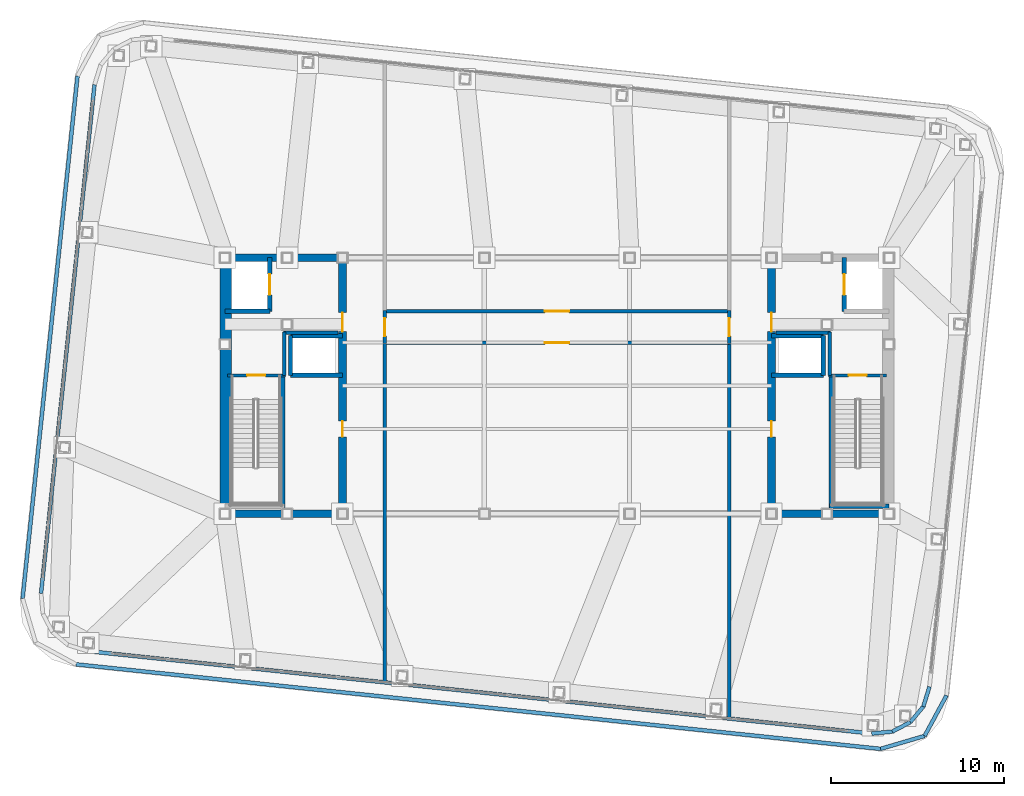
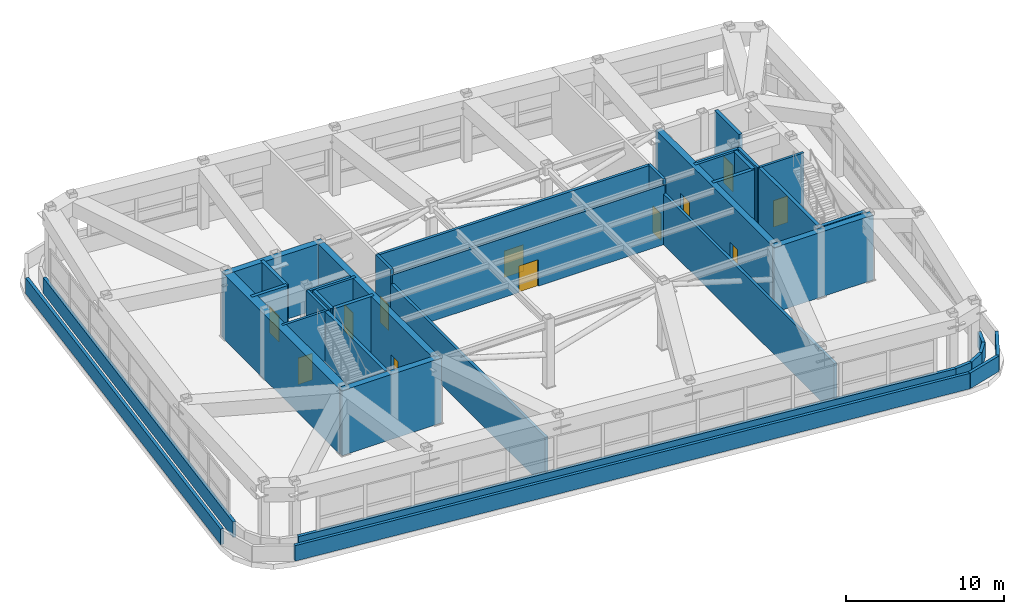
# One storey, part 19 of 22: 40 walls, 12 doors, 12 openings.
"""IFC4 building model written with IfcOpenShell, lengths in metres."""

from ifc_helpers import new_model, si_unit, direction, frame, frame_2d, origin, place, context, subcontext, project, spatial, rectangle, extrude, material, layer, layer_set, type_object, element, fill, save


model = new_model("IFC4")

# Units and contexts
model_context = context("Model", 3, precision=1e-05, world=origin(), true_north=direction((0.0, 1.0)))
body_context = subcontext(model_context, "Body", "Model", "MODEL_VIEW")
ifc_project = project(units=[si_unit("LENGTHUNIT", "METRE"), si_unit("AREAUNIT", "SQUARE_METRE"), si_unit("VOLUMEUNIT", "CUBIC_METRE"), si_unit("PLANEANGLEUNIT", "RADIAN"), si_unit("MASSUNIT", "GRAM", prefix="KILO")], contexts=[model_context])

# Site, building, storey
site_placement = place(None, origin())
site = spatial("IfcSite", under=ifc_project, at=site_placement, CompositionType="ELEMENT")
building_placement = place(site_placement, origin())
building = spatial("IfcBuilding", under=site, at=building_placement, Name="Voryun Gate Residences", CompositionType="ELEMENT")
storey_placement = place(building_placement, frame((0.0, 0.0, 310.699951171875)))
storey = spatial("IfcBuildingStorey", under=building, at=storey_placement, Name="L77", CompositionType="ELEMENT", Elevation=310.699951171875)

# Walls
ifc_material_1 = material(Name="Concrete C50/60", Category="concrete")
ifc_layer_1 = layer(ifc_material_1, 0.449951171875, Name="CW_CORE_450")
ifc_layer_set_1 = layer_set([ifc_layer_1], Name="Concrete C50/60")
wall_type_1 = type_object("IfcWallType", Name="CW_CORE_450", PredefinedType="SHEAR", material=ifc_layer_set_1)
for number, where, z_axis, x_axis, name in (
    (1, (-19.425048828125, -7.39990234375, 0.0), (0.0, 0.0, 1.0), (1.0, 0.0, 0.0), "L77 Core shear wall CW-L77-WS"),
    (2, (-19.425048828125, 7.39990234375, 0.0), (0.0, 0.0, 1.0), (1.0, 0.0, 0.0), "L77 Core shear wall CW-L77-WN"),
):
    element("IfcWall", number, at=place(storey_placement, frame(where, z_axis=z_axis, x_axis=x_axis)), inside=storey, type_object=wall_type_1, Name=name, PredefinedType="SHEAR", context=body_context, shape_type="SweptSolid", body=[
        extrude(rectangle(XDim=7.25, YDim=0.449951171875, at=frame_2d((3.625, 0.0))), origin(), (0.0, 0.0, 1.0), 5.025146484375),
    ])

# Wall, openings, doors
wall_1_placement = place(storey_placement, frame((-12.39990234375, -7.39990234375, 0.0), z_axis=(0.0, 0.0, 1.0), x_axis=(0.0, 1.0, 0.0)))
wall_1 = element("IfcWall", 3, at=wall_1_placement, inside=storey, type_object=wall_type_1, Name="L77 Core shear wall CW-L77-WE", PredefinedType="SHEAR", context=body_context, shape_type="SweptSolid", body=[
    extrude(rectangle(XDim=14.7998046875, YDim=0.449951171875, at=frame_2d((7.39990234375, 0.0))), origin(), (0.0, 0.0, 1.0), 5.025146484375),
])
opening_1_placement = place(wall_1_placement, frame((10.530029296875, 0.0, 0.0)))
opening_1 = element("IfcOpeningElement", 4, at=opening_1_placement, cuts=wall_1, Name="Opening D-FD60-2", PredefinedType="OPENING", context=body_context, shape_type="SweptSolid", body=[
    extrude(rectangle(XDim=1.10009765625, YDim=2.050048828125, at=frame_2d((0.550048828125, 1.02490234375))), frame((0.0, 0.235107421875, 0.0), z_axis=(0.0, -1.0, 0.0), x_axis=(1.0, 0.0, 0.0)), (0.0, 0.0, 1.0), 0.469970703125),
])
opening_2_placement = place(wall_1_placement, frame((4.449951171875, 0.0, 0.0)))
opening_2 = element("IfcOpeningElement", 5, at=opening_2_placement, cuts=wall_1, Name="Opening D-FD60-4", PredefinedType="OPENING", context=body_context, shape_type="SweptSolid", body=[
    extrude(rectangle(XDim=0.89990234375, YDim=2.050048828125, at=frame_2d((0.449951171875, 1.02490234375))), frame((0.0, 0.235107421875, 0.0), z_axis=(0.0, -1.0, 0.0), x_axis=(1.0, 0.0, 0.0)), (0.0, 0.0, 1.0), 0.469970703125),
])
ifc_material_2 = material(Name="Painted steel fire door", Category="steel")
door_type_1 = type_object("IfcDoorType", Name="DR_FD60_FFLOB_1100", OperationType="NOTDEFINED", PredefinedType="DOOR", material=ifc_material_2)
door_1_placement = place(opening_1_placement, origin())
door_1 = element("IfcDoor", 6, at=door_1_placement, inside=storey, type_object=door_type_1, Name="Door DR-L77-CLOB-W", OperationType="SINGLE_SWING_LEFT", OverallHeight=2.050048828125, OverallWidth=1.10009765625, PredefinedType="DOOR", context=body_context, shape_type="SweptSolid", body=[
    extrude(rectangle(XDim=1.10009765625, YDim=2.050048828125, at=frame_2d((0.550048828125, 1.02490234375))), frame((0.0, 0.02490234375, 0.0), z_axis=(0.0, -1.0, 0.0), x_axis=(1.0, 0.0, 0.0)), (0.0, 0.0, 1.0), 0.050048828125),
])
fill(opening_1, door_1)
ifc_material_3 = material(Name="Painted steel fire door", Category="steel")
door_type_2 = type_object("IfcDoorType", Name="DR_FD60_RISER_900", OperationType="NOTDEFINED", PredefinedType="DOOR", material=ifc_material_3)
door_2_placement = place(opening_2_placement, origin())
door_2 = element("IfcDoor", 7, at=door_2_placement, inside=storey, type_object=door_type_2, Name="Door DR-L77-CRNW", OperationType="SINGLE_SWING_LEFT", OverallHeight=2.050048828125, OverallWidth=0.89990234375, PredefinedType="DOOR", context=body_context, shape_type="SweptSolid", body=[
    extrude(rectangle(XDim=0.89990234375, YDim=2.050048828125, at=frame_2d((0.449951171875, 1.02490234375))), frame((0.0, 0.02490234375, 0.0), z_axis=(0.0, -1.0, 0.0), x_axis=(1.0, 0.0, 0.0)), (0.0, 0.0, 1.0), 0.050048828125),
])
fill(opening_2, door_2)

# Wall
wall_2_placement = place(storey_placement, frame((12.175048828125, -7.39990234375, 0.0), z_axis=(0.0, 0.0, 1.0), x_axis=(1.0, 0.0, 0.0)))
element("IfcWall", 8, at=wall_2_placement, inside=storey, type_object=wall_type_1, Name="L77 Core shear wall CW-L77-ES", PredefinedType="SHEAR", context=body_context, shape_type="SweptSolid", body=[
    extrude(rectangle(XDim=7.25, YDim=0.449951171875, at=frame_2d((3.625, 0.0))), origin(), (0.0, 0.0, 1.0), 5.025146484375),
])

# Wall, openings, doors
wall_3_placement = place(storey_placement, frame((12.39990234375, -7.39990234375, 0.0), z_axis=(0.0, 0.0, 1.0), x_axis=(0.0, 1.0, 0.0)))
wall_3 = element("IfcWall", 9, at=wall_3_placement, inside=storey, type_object=wall_type_1, Name="L77 Core shear wall CW-L77-EW", PredefinedType="SHEAR", context=body_context, shape_type="SweptSolid", body=[
    extrude(rectangle(XDim=14.7998046875, YDim=0.449951171875, at=frame_2d((7.39990234375, 0.0))), origin(), (0.0, 0.0, 1.0), 5.025146484375),
])
opening_3_placement = place(wall_3_placement, frame((10.530029296875, 0.0, 0.0)))
opening_3 = element("IfcOpeningElement", 10, at=opening_3_placement, cuts=wall_3, Name="Opening D-FD60-2", PredefinedType="OPENING", context=body_context, shape_type="SweptSolid", body=[
    extrude(rectangle(XDim=1.10009765625, YDim=2.050048828125, at=frame_2d((0.550048828125, 1.02490234375))), frame((0.0, 0.235107421875, 0.0), z_axis=(0.0, -1.0, 0.0), x_axis=(1.0, 0.0, 0.0)), (0.0, 0.0, 1.0), 0.469970703125),
])
opening_4_placement = place(wall_3_placement, frame((4.449951171875, 0.0, 0.0)))
opening_4 = element("IfcOpeningElement", 11, at=opening_4_placement, cuts=wall_3, Name="Opening D-FD60-4", PredefinedType="OPENING", context=body_context, shape_type="SweptSolid", body=[
    extrude(rectangle(XDim=0.89990234375, YDim=2.050048828125, at=frame_2d((0.449951171875, 1.02490234375))), frame((0.0, 0.235107421875, 0.0), z_axis=(0.0, -1.0, 0.0), x_axis=(1.0, 0.0, 0.0)), (0.0, 0.0, 1.0), 0.469970703125),
])
door_3_placement = place(opening_3_placement, origin())
door_3 = element("IfcDoor", 12, at=door_3_placement, inside=storey, type_object=door_type_1, Name="Door DR-L77-CLOB-E", OperationType="SINGLE_SWING_RIGHT", OverallHeight=2.050048828125, OverallWidth=1.10009765625, PredefinedType="DOOR", context=body_context, shape_type="SweptSolid", body=[
    extrude(rectangle(XDim=1.10009765625, YDim=2.050048828125, at=frame_2d((0.550048828125, 1.02490234375))), frame((0.0, 0.02490234375, 0.0), z_axis=(0.0, -1.0, 0.0), x_axis=(1.0, 0.0, 0.0)), (0.0, 0.0, 1.0), 0.050048828125),
])
fill(opening_3, door_3)
door_4_placement = place(opening_4_placement, origin())
door_4 = element("IfcDoor", 13, at=door_4_placement, inside=storey, type_object=door_type_2, Name="Door DR-L77-CRNE", OperationType="SINGLE_SWING_RIGHT", OverallHeight=2.050048828125, OverallWidth=0.89990234375, PredefinedType="DOOR", context=body_context, shape_type="SweptSolid", body=[
    extrude(rectangle(XDim=0.89990234375, YDim=2.050048828125, at=frame_2d((0.449951171875, 1.02490234375))), frame((0.0, 0.02490234375, 0.0), z_axis=(0.0, -1.0, 0.0), x_axis=(1.0, 0.0, 0.0)), (0.0, 0.0, 1.0), 0.050048828125),
])
fill(opening_4, door_4)

# Wall
ifc_material_4 = material(Name="Concrete C60/75", Category="concrete")
ifc_layer_2 = layer(ifc_material_4, 0.64990234375, Name="CW_CORE_650")
ifc_layer_set_2 = layer_set([ifc_layer_2], Name="Concrete C60/75")
wall_type_2 = type_object("IfcWallType", Name="CW_CORE_650", PredefinedType="SHEAR", material=ifc_layer_set_2)
wall_4_placement = place(storey_placement, frame((-19.14501953125, -7.39990234375, 0.0), z_axis=(0.0, 0.0, 1.0), x_axis=(0.0, 1.0, 0.0)))
element("IfcWall", 14, at=wall_4_placement, inside=storey, type_object=wall_type_2, Name="L77 Core shear wall CW-L77-WW", PredefinedType="SHEAR", context=body_context, shape_type="SweptSolid", body=[
    extrude(rectangle(XDim=14.7998046875, YDim=0.64990234375, at=frame_2d((7.39990234375, 0.0))), origin(), (0.0, 0.0, 1.0), 5.025146484375),
])

# Wall, opening, door
ifc_material_5 = material(Name="Gypsum acoustic fireboard")
ifc_layer_3 = layer(ifc_material_5, 0.179931640625, Name="W_CORR_RATED_180")
ifc_layer_set_3 = layer_set([ifc_layer_3], Name="Gypsum acoustic fireboard")
wall_type_3 = type_object("IfcWallType", Name="W_CORR_RATED_180", PredefinedType="PARTITIONING", material=ifc_layer_set_3)
wall_5_placement = place(storey_placement, frame((-19.06005859375, 0.60009765625, 0.0), z_axis=(0.0, 0.0, 1.0), x_axis=(1.0, 0.0, 0.0)))
wall_5 = element("IfcWall", 15, at=wall_5_placement, inside=storey, type_object=wall_type_3, Name="Partition wall WP-L77-STV-W", PredefinedType="PARTITIONING", context=body_context, shape_type="SweptSolid", body=[
    extrude(rectangle(XDim=3.360107421875, YDim=0.179931640625, at=frame_2d((1.68017578125, 0.0))), origin(), (0.0, 0.0, 1.0), 5.025146484375),
])
opening_5_placement = place(wall_5_placement, frame((1.155029296875, 0.0, 0.0)))
opening_5 = element("IfcOpeningElement", 16, at=opening_5_placement, cuts=wall_5, Name="Opening D-FD60-1", PredefinedType="OPENING", context=body_context, shape_type="SweptSolid", body=[
    extrude(rectangle(XDim=1.050048828125, YDim=2.050048828125, at=frame_2d((0.52490234375, 1.02490234375))), frame((0.0, 0.099853515625, 0.0), z_axis=(0.0, -1.0, 0.0), x_axis=(1.0, 0.0, 0.0)), (0.0, 0.0, 1.0), 0.199951171875),
])
ifc_material_6 = material(Name="Painted steel fire door", Category="steel")
door_type_3 = type_object("IfcDoorType", Name="DR_FD60_STAIR_1050", OperationType="NOTDEFINED", PredefinedType="DOOR", material=ifc_material_6)
door_5_placement = place(opening_5_placement, origin())
door_5 = element("IfcDoor", 17, at=door_5_placement, inside=storey, type_object=door_type_3, Name="Door DR-L77-ST-W", OperationType="SINGLE_SWING_LEFT", OverallHeight=2.050048828125, OverallWidth=1.050048828125, PredefinedType="DOOR", context=body_context, shape_type="SweptSolid", body=[
    extrude(rectangle(XDim=1.050048828125, YDim=2.050048828125, at=frame_2d((0.52490234375, 1.02490234375))), frame((0.0, 0.02490234375, 0.0), z_axis=(0.0, -1.0, 0.0), x_axis=(1.0, 0.0, 0.0)), (0.0, 0.0, 1.0), 0.050048828125),
])
fill(opening_5, door_5)

wall_6_placement = place(storey_placement, frame((15.699951171875, 0.60009765625, 0.0), z_axis=(0.0, 0.0, 1.0), x_axis=(1.0, 0.0, 0.0)))
wall_6 = element("IfcWall", 18, at=wall_6_placement, inside=storey, type_object=wall_type_3, Name="Partition wall WP-L77-STV-E", PredefinedType="PARTITIONING", context=body_context, shape_type="SweptSolid", body=[
    extrude(rectangle(XDim=3.360107421875, YDim=0.179931640625, at=frame_2d((1.68017578125, 0.0))), origin(), (0.0, 0.0, 1.0), 5.025146484375),
])
opening_6_placement = place(wall_6_placement, frame((1.155029296875, 0.0, 0.0)))
opening_6 = element("IfcOpeningElement", 19, at=opening_6_placement, cuts=wall_6, Name="Opening D-FD60-1", PredefinedType="OPENING", context=body_context, shape_type="SweptSolid", body=[
    extrude(rectangle(XDim=1.050048828125, YDim=2.050048828125, at=frame_2d((0.52490234375, 1.02490234375))), frame((0.0, 0.099853515625, 0.0), z_axis=(0.0, -1.0, 0.0), x_axis=(1.0, 0.0, 0.0)), (0.0, 0.0, 1.0), 0.199951171875),
])
door_6_placement = place(opening_6_placement, origin())
door_6 = element("IfcDoor", 20, at=door_6_placement, inside=storey, type_object=door_type_3, Name="Door DR-L77-ST-E", OperationType="SINGLE_SWING_RIGHT", OverallHeight=2.050048828125, OverallWidth=1.050048828125, PredefinedType="DOOR", context=body_context, shape_type="SweptSolid", body=[
    extrude(rectangle(XDim=1.050048828125, YDim=2.050048828125, at=frame_2d((0.52490234375, 1.02490234375))), frame((0.0, 0.02490234375, 0.0), z_axis=(0.0, -1.0, 0.0), x_axis=(1.0, 0.0, 0.0)), (0.0, 0.0, 1.0), 0.050048828125),
])
fill(opening_6, door_6)

# Walls
ifc_material_7 = material(Name="Concrete C40/50", Category="concrete")
ifc_layer_4 = layer(ifc_material_7, 0.199951171875, Name="W_FF_LOBBY_200")
ifc_layer_set_4 = layer_set([ifc_layer_4], Name="Concrete C40/50")
wall_type_4 = type_object("IfcWallType", Name="W_FF_LOBBY_200", PredefinedType="PARTITIONING", material=ifc_layer_set_4)
wall_7_placement = place(storey_placement, frame((-15.760009765625, 0.580078125, 0.0), z_axis=(0.0, 0.0, 1.0), x_axis=(0.0, 1.0, 0.0)))
element("IfcWall", 21, at=wall_7_placement, inside=storey, type_object=wall_type_4, Name="Partition wall WP-L77-FFP0-W", PredefinedType="PARTITIONING", context=body_context, shape_type="SweptSolid", body=[
    extrude(rectangle(XDim=2.52001953125, YDim=0.199951171875, at=frame_2d((1.260009765625, 0.0))), origin(), (0.0, 0.0, 1.0), 5.025146484375),
])
wall_8_placement = place(storey_placement, frame((-15.820068359375, 3.06005859375, 0.0), z_axis=(0.0, 0.0, 1.0), x_axis=(1.0, 0.0, 0.0)))
element("IfcWall", 22, at=wall_8_placement, inside=storey, type_object=wall_type_4, Name="Partition wall WP-L77-FFPS-W", PredefinedType="PARTITIONING", context=body_context, shape_type="SweptSolid", body=[
    extrude(rectangle(XDim=3.16015625, YDim=0.199951171875, at=frame_2d((1.580078125, 0.0))), origin(), (0.0, 0.0, 1.0), 5.025146484375),
])
wall_9_placement = place(storey_placement, frame((15.760009765625, 0.580078125, 0.0), z_axis=(0.0, 0.0, 1.0), x_axis=(0.0, 1.0, 0.0)))
element("IfcWall", 23, at=wall_9_placement, inside=storey, type_object=wall_type_4, Name="Partition wall WP-L77-FFP0-E", PredefinedType="PARTITIONING", context=body_context, shape_type="SweptSolid", body=[
    extrude(rectangle(XDim=2.52001953125, YDim=0.199951171875, at=frame_2d((1.260009765625, 0.0))), origin(), (0.0, 0.0, 1.0), 5.025146484375),
])
wall_10_placement = place(storey_placement, frame((12.659912109375, 3.06005859375, 0.0), z_axis=(0.0, 0.0, 1.0), x_axis=(1.0, 0.0, 0.0)))
element("IfcWall", 24, at=wall_10_placement, inside=storey, type_object=wall_type_4, Name="Partition wall WP-L77-FFPS-E", PredefinedType="PARTITIONING", context=body_context, shape_type="SweptSolid", body=[
    extrude(rectangle(XDim=3.16015625, YDim=0.199951171875, at=frame_2d((1.580078125, 0.0))), origin(), (0.0, 0.0, 1.0), 5.025146484375),
])

# Wall, opening, door
wall_11_placement = place(storey_placement, frame((-9.97998046875, 2.47998046875, 0.0), z_axis=(0.0, 0.0, 1.0), x_axis=(1.0, 0.0, 0.0)))
wall_11 = element("IfcWall", 25, at=wall_11_placement, inside=storey, type_object=wall_type_4, Name="Partition wall WP-L77-CS", PredefinedType="PARTITIONING", context=body_context, shape_type="SweptSolid", body=[
    extrude(rectangle(XDim=19.9599609375, YDim=0.199951171875, at=frame_2d((9.97998046875, 0.0))), origin(), (0.0, 0.0, 1.0), 4.594970703125),
])
opening_7_placement = place(wall_11_placement, frame((9.280029296875, 0.0, 0.0)))
opening_7 = element("IfcOpeningElement", 26, at=opening_7_placement, cuts=wall_11, Name="Opening D-FD60-3", PredefinedType="OPENING", context=body_context, shape_type="SweptSolid", body=[
    extrude(rectangle(XDim=1.39990234375, YDim=2.050048828125, at=frame_2d((0.699951171875, 1.02490234375))), frame((0.0, 0.110107421875, 0.0), z_axis=(0.0, -1.0, 0.0), x_axis=(1.0, 0.0, 0.0)), (0.0, 0.0, 1.0), 0.219970703125),
])
ifc_material_8 = material(Name="Painted steel fire door", Category="steel")
door_type_4 = type_object("IfcDoorType", Name="DR_FD60_PLANT_1400", OperationType="NOTDEFINED", PredefinedType="DOOR", material=ifc_material_8)
door_7_placement = place(opening_7_placement, origin())
door_7 = element("IfcDoor", 27, at=door_7_placement, inside=storey, type_object=door_type_4, Name="Door DR-L77-CS", OperationType="DOUBLE_DOOR_SINGLE_SWING", OverallHeight=2.050048828125, OverallWidth=1.39990234375, PredefinedType="DOOR", context=body_context, shape_type="SweptSolid", body=[
    extrude(rectangle(XDim=1.39990234375, YDim=2.050048828125, at=frame_2d((0.699951171875, 1.02490234375))), frame((0.0, 0.02490234375, 0.0), z_axis=(0.0, -1.0, 0.0), x_axis=(1.0, 0.0, 0.0)), (0.0, 0.0, 1.0), 0.050048828125),
])
fill(opening_7, door_7)

wall_12_placement = place(storey_placement, frame((-9.97998046875, 4.300048828125, 0.0), z_axis=(0.0, 0.0, 1.0), x_axis=(1.0, 0.0, 0.0)))
wall_12 = element("IfcWall", 28, at=wall_12_placement, inside=storey, type_object=wall_type_4, Name="Partition wall WP-L77-CN", PredefinedType="PARTITIONING", context=body_context, shape_type="SweptSolid", body=[
    extrude(rectangle(XDim=19.9599609375, YDim=0.199951171875, at=frame_2d((9.97998046875, 0.0))), origin(), (0.0, 0.0, 1.0), 5.025146484375),
])
opening_8_placement = place(wall_12_placement, frame((9.280029296875, 0.0, 0.0)))
opening_8 = element("IfcOpeningElement", 29, at=opening_8_placement, cuts=wall_12, Name="Opening D-FD60-3", PredefinedType="OPENING", context=body_context, shape_type="SweptSolid", body=[
    extrude(rectangle(XDim=1.39990234375, YDim=2.050048828125, at=frame_2d((0.699951171875, 1.02490234375))), frame((0.0, 0.110107421875, 0.0), z_axis=(0.0, -1.0, 0.0), x_axis=(1.0, 0.0, 0.0)), (0.0, 0.0, 1.0), 0.219970703125),
])
door_8_placement = place(opening_8_placement, origin())
door_8 = element("IfcDoor", 30, at=door_8_placement, inside=storey, type_object=door_type_4, Name="Door DR-L77-CN", OperationType="DOUBLE_DOOR_SINGLE_SWING", OverallHeight=2.050048828125, OverallWidth=1.39990234375, PredefinedType="DOOR", context=body_context, shape_type="SweptSolid", body=[
    extrude(rectangle(XDim=1.39990234375, YDim=2.050048828125, at=frame_2d((0.699951171875, 1.02490234375))), frame((0.0, 0.02490234375, 0.0), z_axis=(0.0, -1.0, 0.0), x_axis=(1.0, 0.0, 0.0)), (0.0, 0.0, 1.0), 0.050048828125),
])
fill(opening_8, door_8)

wall_13_placement = place(storey_placement, frame((-9.9599609375, 2.43994140625, 0.0), z_axis=(0.0, 0.0, 1.0), x_axis=(0.0, 1.0, 0.0)))
wall_13 = element("IfcWall", 31, at=wall_13_placement, inside=storey, type_object=wall_type_4, Name="Partition wall WP-L77-CWMID", PredefinedType="PARTITIONING", context=body_context, shape_type="SweptSolid", body=[
    extrude(rectangle(XDim=1.900146484375, YDim=0.199951171875, at=frame_2d((0.9501953125, 0.0))), origin(), (0.0, 0.0, 1.0), 5.025146484375),
])
opening_9_placement = place(wall_13_placement, frame((0.425048828125, 0.0, 0.0)))
opening_9 = element("IfcOpeningElement", 32, at=opening_9_placement, cuts=wall_13, Name="Opening D-FD60-1", PredefinedType="OPENING", context=body_context, shape_type="SweptSolid", body=[
    extrude(rectangle(XDim=1.050048828125, YDim=2.050048828125, at=frame_2d((0.52490234375, 1.02490234375))), frame((0.0, 0.110107421875, 0.0), z_axis=(0.0, -1.0, 0.0), x_axis=(1.0, 0.0, 0.0)), (0.0, 0.0, 1.0), 0.219970703125),
])
door_9_placement = place(opening_9_placement, origin())
door_9 = element("IfcDoor", 33, at=door_9_placement, inside=storey, type_object=door_type_3, Name="Door DR-L77-CW1", OperationType="SINGLE_SWING_LEFT", OverallHeight=2.050048828125, OverallWidth=1.050048828125, PredefinedType="DOOR", context=body_context, shape_type="SweptSolid", body=[
    extrude(rectangle(XDim=1.050048828125, YDim=2.050048828125, at=frame_2d((0.52490234375, 1.02490234375))), frame((0.0, 0.02490234375, 0.0), z_axis=(0.0, -1.0, 0.0), x_axis=(1.0, 0.0, 0.0)), (0.0, 0.0, 1.0), 0.050048828125),
])
fill(opening_9, door_9)

wall_14_placement = place(storey_placement, frame((9.9599609375, 2.43994140625, 0.0), z_axis=(0.0, 0.0, 1.0), x_axis=(0.0, 1.0, 0.0)))
wall_14 = element("IfcWall", 34, at=wall_14_placement, inside=storey, type_object=wall_type_4, Name="Partition wall WP-L77-CEMID", PredefinedType="PARTITIONING", context=body_context, shape_type="SweptSolid", body=[
    extrude(rectangle(XDim=1.900146484375, YDim=0.199951171875, at=frame_2d((0.9501953125, 0.0))), origin(), (0.0, 0.0, 1.0), 5.025146484375),
])
opening_10_placement = place(wall_14_placement, frame((0.425048828125, 0.0, 0.0)))
opening_10 = element("IfcOpeningElement", 35, at=opening_10_placement, cuts=wall_14, Name="Opening D-FD60-1", PredefinedType="OPENING", context=body_context, shape_type="SweptSolid", body=[
    extrude(rectangle(XDim=1.050048828125, YDim=2.050048828125, at=frame_2d((0.52490234375, 1.02490234375))), frame((0.0, 0.110107421875, 0.0), z_axis=(0.0, -1.0, 0.0), x_axis=(1.0, 0.0, 0.0)), (0.0, 0.0, 1.0), 0.219970703125),
])
door_10_placement = place(opening_10_placement, origin())
door_10 = element("IfcDoor", 36, at=door_10_placement, inside=storey, type_object=door_type_3, Name="Door DR-L77-CE1", OperationType="SINGLE_SWING_RIGHT", OverallHeight=2.050048828125, OverallWidth=1.050048828125, PredefinedType="DOOR", context=body_context, shape_type="SweptSolid", body=[
    extrude(rectangle(XDim=1.050048828125, YDim=2.050048828125, at=frame_2d((0.52490234375, 1.02490234375))), frame((0.0, 0.02490234375, 0.0), z_axis=(0.0, -1.0, 0.0), x_axis=(1.0, 0.0, 0.0)), (0.0, 0.0, 1.0), 0.050048828125),
])
fill(opening_10, door_10)

# Walls
wall_15_placement = place(storey_placement, frame((-9.9599609375, -17.12451171875, 0.0), z_axis=(0.0, 0.0, 1.0), x_axis=(0.0, 1.0, 0.0)))
element("IfcWall", 37, at=wall_15_placement, inside=storey, type_object=wall_type_4, Name="Partition wall WP-L77-CW1", PredefinedType="PARTITIONING", context=body_context, shape_type="SweptSolid", body=[
    extrude(rectangle(XDim=19.62451171875, YDim=0.199951171875, at=frame_2d((9.812255859375, 0.0))), origin(), (0.0, 0.0, 1.0), 3.9150390625),
])
wall_16_placement = place(storey_placement, frame((9.9599609375, -19.21826171875, 0.0), z_axis=(0.0, 0.0, 1.0), x_axis=(0.0, 1.0, 0.0)))
element("IfcWall", 38, at=wall_16_placement, inside=storey, type_object=wall_type_4, Name="Partition wall WP-L77-CE1", PredefinedType="PARTITIONING", context=body_context, shape_type="SweptSolid", body=[
    extrude(rectangle(XDim=21.71826171875, YDim=0.199951171875, at=frame_2d((10.859130859375, 0.0))), origin(), (0.0, 0.0, 1.0), 3.9150390625),
])
ifc_material_9 = material(Name="Precast concrete C40/50", Category="concrete")
ifc_layer_5 = layer(ifc_material_9, 0.219970703125, Name="W_PARAPET_CURB_220")
ifc_layer_set_5 = layer_set([ifc_layer_5], Name="Precast concrete C40/50")
wall_type_5 = type_object("IfcWallType", Name="W_PARAPET_CURB_220", PredefinedType="PARAPET", material=ifc_layer_set_5)
wall_17_placement = place(storey_placement, frame((18.19482421875, -20.103759765625, 0.0), z_axis=(0.0, 0.0, 1.0), x_axis=(-0.994522116558, 0.104526358762, 0.0)))
element("IfcWall", 39, at=wall_17_placement, inside=storey, type_object=wall_type_5, Name="Exterior wall WCRN-L77-01", PredefinedType="PARAPET", context=body_context, shape_type="SweptSolid", body=[
    extrude(rectangle(XDim=45.564453125, YDim=0.219970703125, at=frame_2d((22.7822265625, 0.0))), origin(), (0.0, 0.0, 1.0), 1.199951171875),
])
wall_18_placement = place(storey_placement, frame((-29.82373046875, -12.00244140625, 0.0), z_axis=(0.0, 0.0, 1.0), x_axis=(0.104528313262, 0.994521911134, 0.0)))
element("IfcWall", 40, at=wall_18_placement, inside=storey, type_object=wall_type_5, Name="Exterior wall WCRN-L77-06", PredefinedType="PARAPET", context=body_context, shape_type="SweptSolid", body=[
    extrude(rectangle(XDim=29.564453125, YDim=0.219970703125, at=frame_2d((14.7822265625, 0.0))), origin(), (0.0, 0.0, 1.0), 1.199951171875),
])
wall_19_placement = place(storey_placement, frame((21.533447265625, -17.400146484375, 0.0), z_axis=(0.0, 0.0, 1.0), x_axis=(-0.296611239858, -0.95499831015, 0.0)))
element("IfcWall", 41, at=wall_19_placement, inside=storey, type_object=wall_type_5, Name="Exterior wall WCRN-L77-17", PredefinedType="PARAPET", context=body_context, shape_type="SweptSolid", body=[
    extrude(rectangle(XDim=1.195068359375, YDim=0.219970703125, at=frame_2d((0.59765625, 0.0))), origin(), (0.0, 0.0, 1.0), 1.199951171875),
])
wall_20_placement = place(storey_placement, frame((21.178955078125, -18.54150390625, 0.0), z_axis=(0.0, 0.0, 1.0), x_axis=(-0.639408628756, -0.768867092203, 0.0)))
element("IfcWall", 42, at=wall_20_placement, inside=storey, type_object=wall_type_5, Name="Exterior wall WCRN-L77-18", PredefinedType="PARAPET", context=body_context, shape_type="SweptSolid", body=[
    extrude(rectangle(XDim=1.1767578125, YDim=0.219970703125, at=frame_2d((0.58837890625, 0.0))), origin(), (0.0, 0.0, 1.0), 1.199951171875),
])
wall_21_placement = place(storey_placement, frame((20.426513671875, -19.4462890625, 0.0), z_axis=(0.0, 0.0, 1.0), x_axis=(-0.884985697578, -0.465618207421, 0.0)))
element("IfcWall", 43, at=wall_21_placement, inside=storey, type_object=wall_type_5, Name="Exterior wall WCRN-L77-19", PredefinedType="PARAPET", context=body_context, shape_type="SweptSolid", body=[
    extrude(rectangle(XDim=1.17724609375, YDim=0.219970703125, at=frame_2d((0.588623046875, 0.0))), origin(), (0.0, 0.0, 1.0), 1.199951171875),
])
wall_22_placement = place(storey_placement, frame((19.384765625, -19.994384765625, 0.0), z_axis=(0.0, 0.0, 1.0), x_axis=(-0.995802277791, -0.091530451467, 0.0)))
element("IfcWall", 44, at=wall_22_placement, inside=storey, type_object=wall_type_5, Name="Exterior wall WCRN-L77-20", PredefinedType="PARAPET", context=body_context, shape_type="SweptSolid", body=[
    extrude(rectangle(XDim=1.195068359375, YDim=0.219970703125, at=frame_2d((0.59765625, 0.0))), origin(), (0.0, 0.0, 1.0), 1.199951171875),
])
wall_23_placement = place(storey_placement, frame((18.707763671875, -20.9921875, 0.0), z_axis=(0.0, 0.0, 1.0), x_axis=(-0.994522315485, 0.10452446605, 0.0)))
element("IfcWall", 45, at=wall_23_placement, inside=storey, type_object=wall_type_5, Name="Exterior wall WCRN-L77-EAVE-01", PredefinedType="PARAPET", context=body_context, shape_type="SweptSolid", body=[
    extrude(rectangle(XDim=46.7705078125, YDim=0.219970703125, at=frame_2d((23.38525390625, 0.0))), origin(), (0.0, 0.0, 1.0), 1.199951171875),
])
wall_24_placement = place(storey_placement, frame((-30.89013671875, -12.29541015625, 0.0), z_axis=(0.0, 0.0, 1.0), x_axis=(0.104527862416, 0.99452195852, 0.0)))
element("IfcWall", 46, at=wall_24_placement, inside=storey, type_object=wall_type_5, Name="Exterior wall WCRN-L77-EAVE-04", PredefinedType="PARAPET", context=body_context, shape_type="SweptSolid", body=[
    extrude(rectangle(XDim=30.370361328125, YDim=0.219970703125, at=frame_2d((15.18505859375, 0.0))), origin(), (0.0, 0.0, 1.0), 1.199951171875),
])
wall_25_placement = place(storey_placement, frame((22.515625, -17.90869140625, 0.0), z_axis=(0.0, 0.0, 1.0), x_axis=(-0.476200143729, -0.87933692241, 0.0)))
element("IfcWall", 47, at=wall_25_placement, inside=storey, type_object=wall_type_5, Name="Exterior wall WCRN-L77-EAVE-11", PredefinedType="PARAPET", context=body_context, shape_type="SweptSolid", body=[
    extrude(rectangle(XDim=2.653076171875, YDim=0.219970703125, at=frame_2d((1.32666015625, 0.0))), origin(), (0.0, 0.0, 1.0), 1.199951171875),
])
wall_26_placement = place(storey_placement, frame((21.252197265625, -20.24169921875, 0.0), z_axis=(0.0, 0.0, 1.0), x_axis=(-0.959148329534, -0.282903661964, 0.0)))
element("IfcWall", 48, at=wall_26_placement, inside=storey, type_object=wall_type_5, Name="Exterior wall WCRN-L77-EAVE-12", PredefinedType="PARAPET", context=body_context, shape_type="SweptSolid", body=[
    extrude(rectangle(XDim=2.65283203125, YDim=0.219970703125, at=frame_2d((1.326416015625, 0.0))), origin(), (0.0, 0.0, 1.0), 1.199951171875),
])
ifc_material_10 = material(Name="Concrete C50/60", Category="concrete")
ifc_layer_6 = layer(ifc_material_10, 0.25, Name="W_SHAFT_RC250")
ifc_layer_set_6 = layer_set([ifc_layer_6], Name="Concrete C50/60")
wall_type_6 = type_object("IfcWallType", Name="W_SHAFT_RC250", PredefinedType="SOLIDWALL", material=ifc_layer_set_6)
for number, where, z_axis, x_axis, name in (
    (49, (-15.860107421875, -7.0849609375, 0.0), (0.0, 0.0, 1.0), (0.0, 1.0, 0.0), "L77 Stair shaft structural wall W-STR"),
    (50, (15.860107421875, -7.0849609375, 0.0), (0.0, 0.0, 1.0), (0.0, 1.0, 0.0), "L77 Stair shaft structural wall E-STL"),
):
    element("IfcWall", number, at=place(storey_placement, frame(where, z_axis=z_axis, x_axis=x_axis)), inside=storey, type_object=wall_type_6, Name=name, PredefinedType="SOLIDWALL", context=body_context, shape_type="SweptSolid", body=[
        extrude(rectangle(XDim=7.68505859375, YDim=0.25, at=frame_2d((3.842529296875, 0.0))), origin(), (0.0, 0.0, 1.0), 5.025146484375),
    ])
wall_27_placement = place(storey_placement, frame((15.739990234375, -6.965087890625, 0.0), z_axis=(0.0, 0.0, 1.0), x_axis=(1.0, 0.0, 0.0)))
element("IfcWall", 51, at=wall_27_placement, inside=storey, type_object=wall_type_6, Name="L77 Stair shaft structural wall E-STS", PredefinedType="SOLIDWALL", context=body_context, shape_type="SweptSolid", body=[
    extrude(rectangle(XDim=3.4599609375, YDim=0.25, at=frame_2d((1.72998046875, 0.0))), origin(), (0.0, 0.0, 1.0), 5.025146484375),
])
wall_28_placement = place(storey_placement, frame((-19.199951171875, 4.300048828125, 0.0), z_axis=(0.0, 0.0, 1.0), x_axis=(1.0, 0.0, 0.0)))
element("IfcWall", 52, at=wall_28_placement, inside=storey, type_object=wall_type_6, Name="Lift shaft wall WSH-L77-EL-FF-W1-S", PredefinedType="SOLIDWALL", context=body_context, shape_type="SweptSolid", body=[
    extrude(rectangle(XDim=2.599853515625, YDim=0.25, at=frame_2d((1.2998046875, 0.0))), origin(), (0.0, 0.0, 1.0), 5.025146484375),
])

# Wall, opening, door
wall_29_placement = place(storey_placement, frame((-16.60009765625, 4.300048828125, 0.0), z_axis=(0.0, 0.0, 1.0), x_axis=(0.0, 1.0, 0.0)))
wall_29 = element("IfcWall", 53, at=wall_29_placement, inside=storey, type_object=wall_type_6, Name="Lift shaft wall WSH-L77-EL-FF-W1-E", PredefinedType="SOLIDWALL", context=body_context, shape_type="SweptSolid", body=[
    extrude(rectangle(XDim=3.099853515625, YDim=0.25, at=frame_2d((1.5498046875, 0.0))), origin(), (0.0, 0.0, 1.0), 5.025146484375),
])
opening_11_placement = place(wall_29_placement, frame((0.949951171875, 0.0, 0.0)))
opening_11 = element("IfcOpeningElement", 54, at=opening_11_placement, cuts=wall_29, Name="Opening LD1", PredefinedType="OPENING", context=body_context, shape_type="SweptSolid", body=[
    extrude(rectangle(XDim=1.199951171875, YDim=2.050048828125, at=frame_2d((0.60009765625, 1.02490234375))), frame((0.0, 0.135009765625, 0.0), z_axis=(0.0, -1.0, 0.0), x_axis=(1.0, 0.0, 0.0)), (0.0, 0.0, 1.0), 0.27001953125),
])
ifc_material_11 = material(Name="Anodised aluminium", Category="aluminium")
door_type_5 = type_object("IfcDoorType", Name="DR_LD_FF_1200", OperationType="NOTDEFINED", PredefinedType="DOOR", material=ifc_material_11)
door_11_placement = place(opening_11_placement, origin())
door_11 = element("IfcDoor", 55, at=door_11_placement, inside=storey, type_object=door_type_5, Name="Lift EL-FF-W1 sliding landing door L77", OperationType="SLIDING_TO_LEFT", OverallHeight=2.050048828125, OverallWidth=1.199951171875, PredefinedType="DOOR", context=body_context, shape_type="SweptSolid", body=[
    extrude(rectangle(XDim=1.199951171875, YDim=2.050048828125, at=frame_2d((0.60009765625, 1.02490234375))), frame((0.0, 0.02490234375, 0.0), z_axis=(0.0, -1.0, 0.0), x_axis=(1.0, 0.0, 0.0)), (0.0, 0.0, 1.0), 0.050048828125),
])
fill(opening_11, door_11)

wall_30_placement = place(storey_placement, frame((16.60009765625, 7.39990234375, 0.0), z_axis=(0.0, 0.0, 1.0), x_axis=(0.0, -1.0, 0.0)))
wall_30 = element("IfcWall", 56, at=wall_30_placement, inside=storey, type_object=wall_type_6, Name="Lift shaft wall WSH-L77-EL-FF-E1-W", PredefinedType="SOLIDWALL", context=body_context, shape_type="SweptSolid", body=[
    extrude(rectangle(XDim=3.099853515625, YDim=0.25, at=frame_2d((1.5498046875, 0.0))), origin(), (0.0, 0.0, 1.0), 5.025146484375),
])
opening_12_placement = place(wall_30_placement, frame((0.949951171875, 0.0, 0.0)))
opening_12 = element("IfcOpeningElement", 57, at=opening_12_placement, cuts=wall_30, Name="Opening LD1", PredefinedType="OPENING", context=body_context, shape_type="SweptSolid", body=[
    extrude(rectangle(XDim=1.199951171875, YDim=2.050048828125, at=frame_2d((0.60009765625, 1.02490234375))), frame((0.0, 0.135009765625, 0.0), z_axis=(0.0, -1.0, 0.0), x_axis=(1.0, 0.0, 0.0)), (0.0, 0.0, 1.0), 0.27001953125),
])
door_12_placement = place(opening_12_placement, origin())
door_12 = element("IfcDoor", 58, at=door_12_placement, inside=storey, type_object=door_type_5, Name="Lift EL-FF-E1 sliding landing door L77", OperationType="SLIDING_TO_LEFT", OverallHeight=2.050048828125, OverallWidth=1.199951171875, PredefinedType="DOOR", context=body_context, shape_type="SweptSolid", body=[
    extrude(rectangle(XDim=1.199951171875, YDim=2.050048828125, at=frame_2d((0.60009765625, 1.02490234375))), frame((0.0, 0.02490234375, 0.0), z_axis=(0.0, -1.0, 0.0), x_axis=(1.0, 0.0, 0.0)), (0.0, 0.0, 1.0), 0.050048828125),
])
fill(opening_12, door_12)

# Walls
for number, where, z_axis, x_axis, name in (
    (59, (-15.39990234375, 0.60009765625, 0.0), (0.0, 0.0, 1.0), (1.0, 0.0, 0.0), "Lift shaft wall WSH-L77-EL-P7-S"),
    (60, (-12.39990234375, 2.89990234375, 0.0), (0.0, 0.0, 1.0), (-1.0, 0.0, 0.0), "Lift shaft wall WSH-L77-EL-P7-N"),
):
    element("IfcWall", number, at=place(storey_placement, frame(where, z_axis=z_axis, x_axis=x_axis)), inside=storey, type_object=wall_type_6, Name=name, PredefinedType="SOLIDWALL", context=body_context, shape_type="SweptSolid", body=[
        extrude(rectangle(XDim=3.0, YDim=0.25, at=frame_2d((1.5, 0.0))), origin(), (0.0, 0.0, 1.0), 5.025146484375),
    ])
wall_31_placement = place(storey_placement, frame((-15.39990234375, 2.89990234375, 0.0), z_axis=(0.0, 0.0, 1.0), x_axis=(0.0, -1.0, 0.0)))
element("IfcWall", 61, at=wall_31_placement, inside=storey, type_object=wall_type_6, Name="Lift shaft wall WSH-L77-EL-P7-W", PredefinedType="SOLIDWALL", context=body_context, shape_type="SweptSolid", body=[
    extrude(rectangle(XDim=2.2998046875, YDim=0.25, at=frame_2d((1.14990234375, 0.0))), origin(), (0.0, 0.0, 1.0), 5.025146484375),
])
wall_32_placement = place(storey_placement, frame((12.39990234375, 0.60009765625, 0.0), z_axis=(0.0, 0.0, 1.0), x_axis=(1.0, 0.0, 0.0)))
element("IfcWall", 62, at=wall_32_placement, inside=storey, type_object=wall_type_6, Name="Lift shaft wall WSH-L77-EL-P8-S", PredefinedType="SOLIDWALL", context=body_context, shape_type="SweptSolid", body=[
    extrude(rectangle(XDim=3.0, YDim=0.25, at=frame_2d((1.5, 0.0))), origin(), (0.0, 0.0, 1.0), 5.025146484375),
])
wall_33_placement = place(storey_placement, frame((15.39990234375, 0.60009765625, 0.0), z_axis=(0.0, 0.0, 1.0), x_axis=(0.0, 1.0, 0.0)))
element("IfcWall", 63, at=wall_33_placement, inside=storey, type_object=wall_type_6, Name="Lift shaft wall WSH-L77-EL-P8-E", PredefinedType="SOLIDWALL", context=body_context, shape_type="SweptSolid", body=[
    extrude(rectangle(XDim=2.2998046875, YDim=0.25, at=frame_2d((1.14990234375, 0.0))), origin(), (0.0, 0.0, 1.0), 5.025146484375),
])
wall_34_placement = place(storey_placement, frame((15.39990234375, 2.89990234375, 0.0), z_axis=(0.0, 0.0, 1.0), x_axis=(-1.0, 0.0, 0.0)))
element("IfcWall", 64, at=wall_34_placement, inside=storey, type_object=wall_type_6, Name="Lift shaft wall WSH-L77-EL-P8-N", PredefinedType="SOLIDWALL", context=body_context, shape_type="SweptSolid", body=[
    extrude(rectangle(XDim=3.0, YDim=0.25, at=frame_2d((1.5, 0.0))), origin(), (0.0, 0.0, 1.0), 5.025146484375),
])

save(model, "model.ifc")
